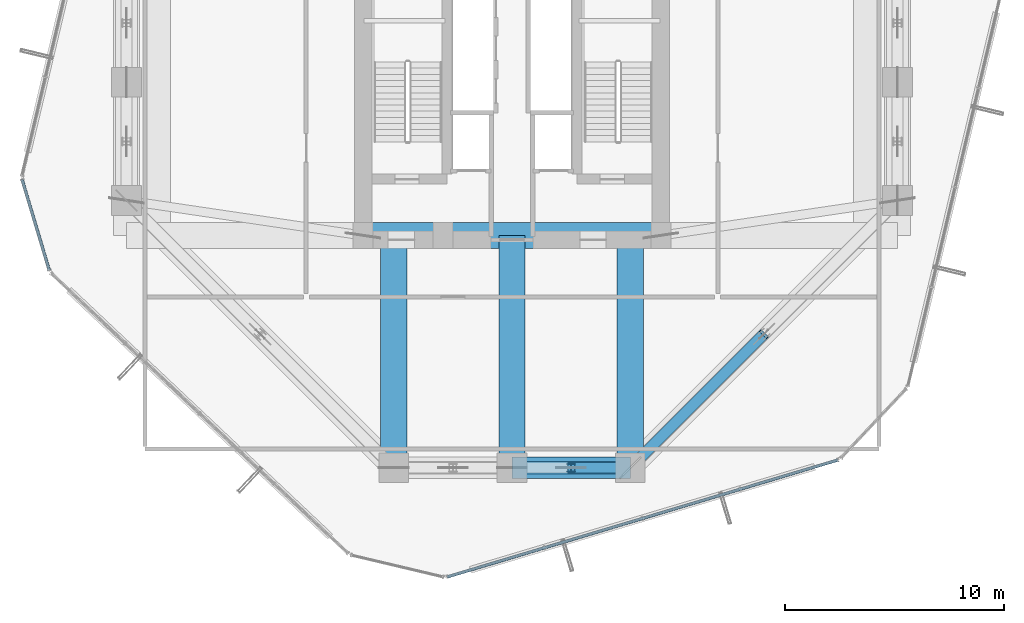
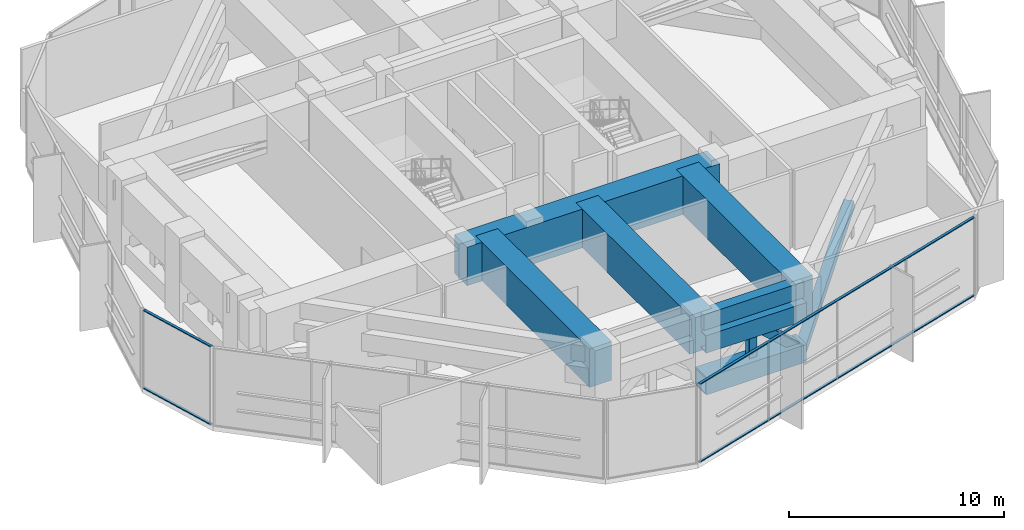
# One storey, part 7 of 41: 9 members, 5 beams, 2 elements without a shape of their own.
"""IFC4 building model written with IfcOpenShell, lengths in metres."""

from ifc_helpers import new_model, si_unit, direction, frame, origin, origin_2d, place, context, subcontext, project, spatial, rectangle, hollow_rectangle, i_section, extrude, source, transform, mapped, material, layer, layer_set, material_profile, profile_set, type_object, element, aggregate, save


model = new_model("IFC4")

# Units and contexts
model_context = context("Model", 3, precision=1e-05, world=origin(), true_north=direction((0.0, 1.0)))
body_context = subcontext(model_context, "Body", "Model", "MODEL_VIEW")
ifc_project = project(units=[si_unit("LENGTHUNIT", "METRE"), si_unit("AREAUNIT", "SQUARE_METRE"), si_unit("VOLUMEUNIT", "CUBIC_METRE"), si_unit("PLANEANGLEUNIT", "RADIAN"), si_unit("MASSUNIT", "GRAM", prefix="KILO")], contexts=[model_context])

# Site, building, storey
site_placement = place(None, origin())
site = spatial("IfcSite", under=ifc_project, at=site_placement, CompositionType="ELEMENT")
building_placement = place(site_placement, origin())
building = spatial("IfcBuilding", under=site, at=building_placement, Name="Veraguas Prism Commons", CompositionType="ELEMENT")
storey_placement = place(building_placement, frame((0.0, 0.0, 80.35009765625)))
storey = spatial("IfcBuildingStorey", under=building, at=storey_placement, Name="L22", CompositionType="ELEMENT", Elevation=80.35009765625)

# Members
ifc_material_1 = material(Name="Steel ASTM A913 Grade 65", Category="steel")
ifc_material_profile_1 = material_profile(ifc_material_1, hollow_rectangle(XDim=1.0, YDim=1.0, WallThickness=0.070068359375, at=origin_2d()), Name="BOX1000X1000X70")
ifc_profile_set_1 = profile_set([ifc_material_profile_1], Name="Steel ASTM A913 Grade 65")
member_type_1 = type_object("IfcMemberType", Name="Belt Truss Chord L22 Box 1000x1000x70", PredefinedType="CHORD", material=ifc_profile_set_1)
for number, where, z_axis, x_axis, name in (
    (1, (24.0, 6.39990234375, 0.5498046875), (1.0, 0.0, 0.0), (0.0, 1.0, 0.0), "Perimeter Belt Truss Chord Bottom L22-11"),
    (2, (24.0, 6.39990234375, 2.929931640625), (1.0, 0.0, 0.0), (0.0, 1.0, 0.0), "Perimeter Belt Truss Chord Top L22-11"),
):
    element("IfcMember", number, at=place(storey_placement, frame(where, z_axis=z_axis, x_axis=x_axis)), inside=storey, type_object=member_type_1, Name=name, PredefinedType="CHORD", context=body_context, shape_type="SweptSolid", body=[
        extrude(hollow_rectangle(XDim=1.0, YDim=1.0, WallThickness=0.070068359375, at=origin_2d()), origin(), (0.0, 0.0, 1.0), 5.39990234375),
    ])
ifc_material_2 = material(Name="Steel ASTM A992 Grade 50", Category="steel")
ifc_material_profile_2 = material_profile(ifc_material_2, i_section(OverallWidth=0.39794921875, OverallDepth=0.386962890625, WebThickness=0.01904296875, FlangeThickness=0.0302734375, at=origin_2d()), Name="W360X262")
ifc_profile_set_2 = profile_set([ifc_material_profile_2], Name="Steel ASTM A992 Grade 50")
member_type_2 = type_object("IfcMemberType", Name="Belt Truss Vertical Strut W360x262", PredefinedType="STRUT", material=ifc_profile_set_2)
member_1_placement = place(storey_placement, frame((26.699951171875, 6.39990234375, 0.5498046875), z_axis=(0.0, 0.0, 1.0), x_axis=(1.0, 0.0, 0.0)))
element("IfcMember", 3, at=member_1_placement, inside=storey, type_object=member_type_2, Name="Perimeter Belt Truss Strut L22-11", PredefinedType="STRUT", context=body_context, shape_type="SweptSolid", body=[
    extrude(i_section(OverallWidth=0.39794921875, OverallDepth=0.386962890625, WebThickness=0.01904296875, FlangeThickness=0.0302734375, at=origin_2d()), origin(), (0.0, 0.0, 1.0), 2.380126953125),
])
ifc_material_3 = material(Name="Steel ASTM A572 Grade 50", Category="steel")
ifc_material_profile_3 = material_profile(ifc_material_3, hollow_rectangle(XDim=0.5, YDim=0.5, WallThickness=0.02490234375, at=origin_2d()), Name="BOX500X500X25")
ifc_profile_set_3 = profile_set([ifc_material_profile_3], Name="Steel ASTM A572 Grade 50")
member_type_3 = type_object("IfcMemberType", Name="Perimeter Belt Diagonal BOX 500x500x25", PredefinedType="BRACE", material=ifc_profile_set_3)
member_2_placement = place(storey_placement, frame((29.39990234375, 6.39990234375, 0.5498046875), z_axis=(-0.750138660667, 0.0, 0.66128056812), x_axis=(0.0, -1.0, 0.0)))
element("IfcMember", 4, at=member_2_placement, inside=storey, type_object=member_type_3, Name="Perimeter Belt Truss Brace L22-11B", PredefinedType="BRACE", context=body_context, shape_type="SweptSolid", body=[
    extrude(hollow_rectangle(XDim=0.5, YDim=0.5, WallThickness=0.02490234375, at=origin_2d()), origin(), (0.0, 0.0, 1.0), 3.599365234375),
])
member_3_placement = place(storey_placement, frame((29.39990234375, 6.39990234375, 0.5498046875), z_axis=(0.681639462261, 0.681639462261, 0.265961062898), x_axis=(-0.707106781187, 0.707106781187, 0.0)))
element("IfcMember", 5, at=member_3_placement, inside=storey, type_object=member_type_3, Name="Perimeter Belt Truss Brace L22-12A", PredefinedType="BRACE", context=body_context, shape_type="SweptSolid", body=[
    extrude(hollow_rectangle(XDim=0.5, YDim=0.5, WallThickness=0.02490234375, at=origin_2d()), origin(), (0.0, 0.0, 1.0), 8.94921875),
])

# Beams
ifc_material_4 = material(Name="Concrete C50/60", Category="concrete")
ifc_material_profile_4 = material_profile(ifc_material_4, rectangle(XDim=0.550048828125, YDim=0.89990234375, at=origin_2d()), Name="RC550X900")
ifc_profile_set_4 = profile_set([ifc_material_profile_4], Name="Concrete C50/60")
beam_type_1 = type_object("IfcBeamType", Name="Perimeter Spandrel Lower RC 550x900", PredefinedType="SPANDREL", material=ifc_profile_set_4)
beam_1_placement = place(storey_placement, frame((24.0, 6.39990234375, 4.02978515625), z_axis=(1.0, 0.0, 0.0), x_axis=(0.0, 1.0, 0.0)))
element("IfcBeam", 6, at=beam_1_placement, inside=storey, type_object=beam_type_1, Name="Perimeter Spandrel Beam L22-SP11", PredefinedType="SPANDREL", context=body_context, shape_type="SweptSolid", body=[
    extrude(rectangle(XDim=0.550048828125, YDim=0.89990234375, at=origin_2d()), origin(), (0.0, 0.0, 1.0), 5.39990234375),
])
ifc_material_profile_5 = material_profile(ifc_material_4, rectangle(XDim=1.199951171875, YDim=2.199951171875, at=origin_2d()), Name="RC1200X2200")
ifc_profile_set_5 = profile_set([ifc_material_profile_5], Name="Concrete C50/60")
beam_type_2 = type_object("IfcBeamType", Name="Podium Transfer Girder RC 1200x2200", PredefinedType="BEAM", material=ifc_profile_set_5)
beam_2_placement = place(storey_placement, frame((17.199951171875, 17.0, 3.3798828125), z_axis=(1.0, 0.0, 0.0), x_axis=(0.0, 1.0, 0.0)))
element("IfcBeam", 7, at=beam_2_placement, inside=storey, type_object=beam_type_2, Name="Core South Transfer Girder L22", PredefinedType="BEAM", context=body_context, shape_type="SweptSolid", body=[
    extrude(rectangle(XDim=1.199951171875, YDim=2.199951171875, at=origin_2d()), origin(), (0.0, 0.0, 1.0), 13.60009765625),
])
for number, where, z_axis, x_axis, name in (
    (8, (18.60009765625, 6.39990234375, 3.3798828125), (0.0, 1.0, 0.0), (-1.0, 0.0, 0.0), "Setback Transfer Girder L22-10"),
    (9, (24.0, 6.39990234375, 3.3798828125), (0.0, 1.0, 0.0), (-1.0, 0.0, 0.0), "Setback Transfer Girder L22-11"),
    (10, (29.39990234375, 6.39990234375, 3.3798828125), (0.0, 1.0, 0.0), (-1.0, 0.0, 0.0), "Setback Transfer Girder L22-12"),
):
    element("IfcBeam", number, at=place(storey_placement, frame(where, z_axis=z_axis, x_axis=x_axis)), inside=storey, type_object=beam_type_2, Name=name, PredefinedType="BEAM", context=body_context, shape_type="SweptSolid", body=[
        extrude(rectangle(XDim=1.199951171875, YDim=2.199951171875, at=origin_2d()), origin(), (0.0, 0.0, 1.0), 10.60009765625),
    ])

# Curtain wall, members
ifc_material_5 = material(Name="Anodised aluminium EN AW-6063 T6", Category="aluminium")
ifc_layer = layer(ifc_material_5, 0.169921875, Name="Unitised Flush Curtain Wall Zone 1", Category="aluminium")
ifc_layer_set = layer_set([ifc_layer], Name="Anodised aluminium EN AW-6063 T6")
curtain_wall_type = type_object("IfcCurtainWallType", Name="Unitised Flush Curtain Wall Zone 1", PredefinedType="NOTDEFINED", material=ifc_layer_set)
curtain_wall_1_placement = place(storey_placement, origin())
curtain_wall_1 = element("IfcCurtainWall", 11, at=curtain_wall_1_placement, inside=storey, type_object=curtain_wall_type, Name="Tower Facade Curtain Wall L22-F5", PredefinedType="NOTDEFINED")
ifc_material_profile_6 = material_profile(ifc_material_5, hollow_rectangle(XDim=0.054931640625, YDim=0.135009765625, WallThickness=0.0029296875, at=origin_2d()), Name="AL55X135X3")
ifc_profile_set_6 = profile_set([ifc_material_profile_6], Name="Anodised aluminium EN AW-6063 T6")
member_type_4 = type_object("IfcMemberType", Name="Curtain Wall Transom Standard AL 55x135x3", PredefinedType="USERDEFINED", material=ifc_profile_set_6)
shared_shape_1 = source(origin(), body_context, "Body", "SweptSolid", [
    extrude(hollow_rectangle(XDim=0.054931640625, YDim=0.135009765625, WallThickness=0.0029296875, at=origin_2d()), origin(), (0.0, 0.0, 1.0), 18.62353515625),
])
member_4_placement = place(storey_placement, frame((21.037841796875, 1.418212890625, 0.02734375), z_axis=(0.958020899141, 0.286698372526, 0.0), x_axis=(0.0, 0.0, 1.0)))
member_4 = element("IfcMember", 12, at=member_4_placement, type_object=member_type_4, Name="CW-Z1 Transom 1", ObjectType="TRANSOM", PredefinedType="USERDEFINED", context=body_context, shape_type="MappedRepresentation", body=[
    mapped(shared_shape_1, transform((0.0, 0.0, 0.0), scale=1.0)),
])
member_5_placement = place(storey_placement, frame((21.037841796875, 1.418212890625, 4.452392578125), z_axis=(0.958020899141, 0.286698372526, 0.0), x_axis=(0.0, 0.0, 1.0)))
member_5 = element("IfcMember", 13, at=member_5_placement, type_object=member_type_4, Name="CW-Z1 Transom 2", ObjectType="TRANSOM", PredefinedType="USERDEFINED", context=body_context, shape_type="MappedRepresentation", body=[
    mapped(shared_shape_1, transform((0.0, 0.0, 0.0), scale=1.0)),
])
aggregate(curtain_wall_1, [member_4, member_5])

curtain_wall_2_placement = place(storey_placement, origin())
curtain_wall_2 = element("IfcCurtainWall", 14, at=curtain_wall_2_placement, inside=storey, type_object=curtain_wall_type, Name="Chamfer Curtain Wall L22-C4", PredefinedType="NOTDEFINED")
shared_shape_2 = source(origin(), body_context, "Body", "SweptSolid", [
    extrude(hollow_rectangle(XDim=0.054931640625, YDim=0.135009765625, WallThickness=0.0029296875, at=origin_2d()), origin(), (0.0, 0.0, 1.0), 4.320068359375),
])
member_6_placement = place(storey_placement, frame((1.6328125, 19.561279296875, 0.02734375), z_axis=(0.286642669884, -0.95803756701, 0.0), x_axis=(0.0, 0.0, 1.0)))
member_6 = element("IfcMember", 15, at=member_6_placement, type_object=member_type_4, Name="CW-Z1 Transom 1", ObjectType="TRANSOM", PredefinedType="USERDEFINED", context=body_context, shape_type="MappedRepresentation", body=[
    mapped(shared_shape_2, transform((0.0, 0.0, 0.0), scale=1.0)),
])
member_7_placement = place(storey_placement, frame((1.6328125, 19.561279296875, 4.452392578125), z_axis=(0.286642669884, -0.95803756701, 0.0), x_axis=(0.0, 0.0, 1.0)))
member_7 = element("IfcMember", 16, at=member_7_placement, type_object=member_type_4, Name="CW-Z1 Transom 2", ObjectType="TRANSOM", PredefinedType="USERDEFINED", context=body_context, shape_type="MappedRepresentation", body=[
    mapped(shared_shape_2, transform((0.0, 0.0, 0.0), scale=1.0)),
])
aggregate(curtain_wall_2, [member_6, member_7])

save(model, "model.ifc")
